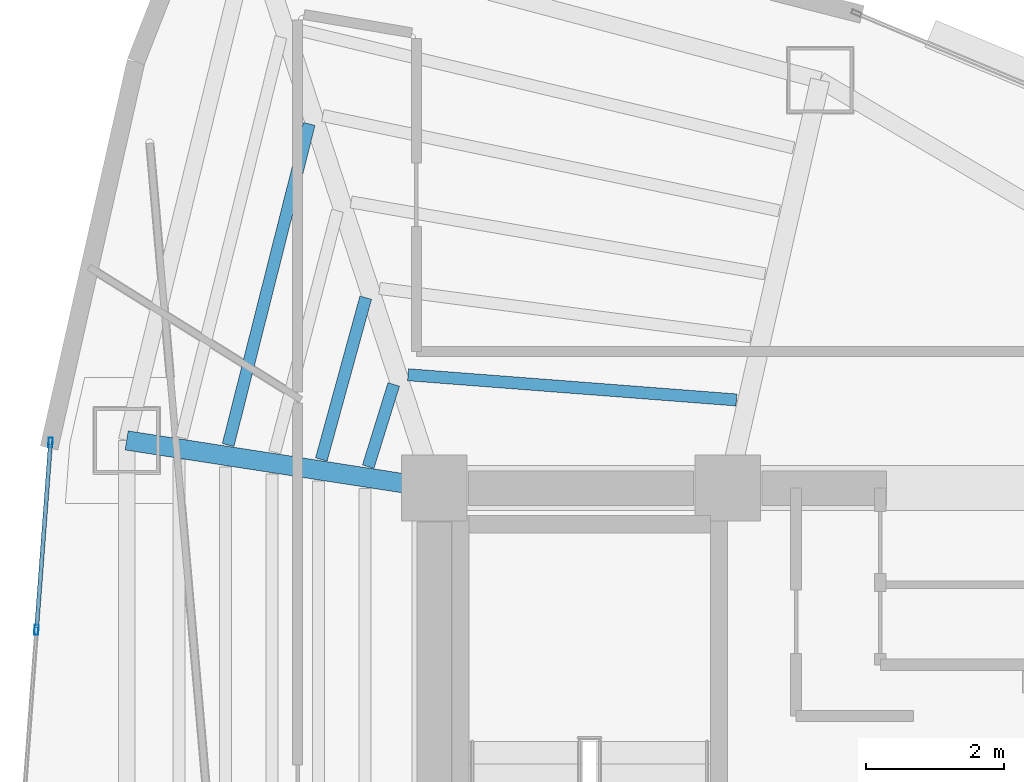
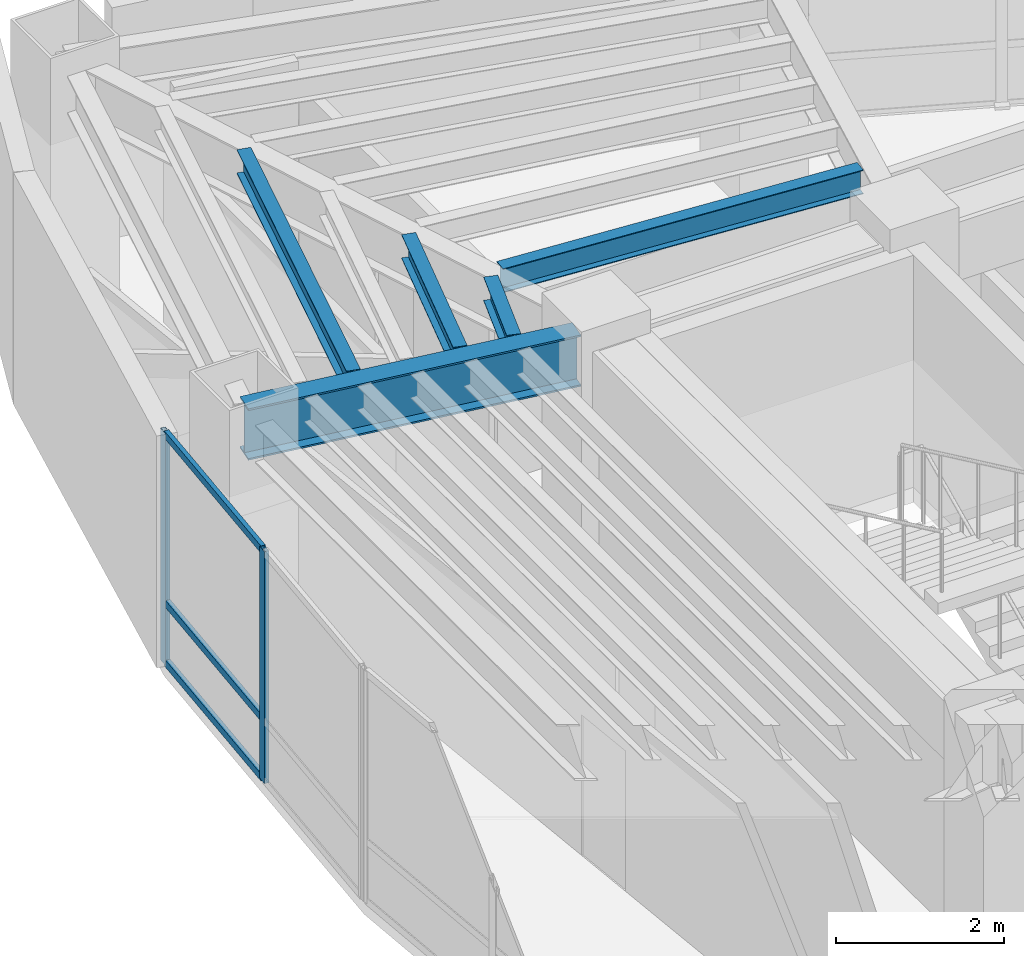
# One storey, part 7 of 16: 5 beams, 5 members, 1 element without a shape of its own.
"""IFC4 building model written with IfcOpenShell, lengths in metres."""

from ifc_helpers import new_model, si_unit, direction, frame, origin, origin_2d, place, context, subcontext, project, spatial, hollow_rectangle, i_section, extrude, material, layer, layer_set, material_profile, profile_set, type_object, element, aggregate, save


model = new_model("IFC4")

# Units and contexts
model_context = context("Model", 3, precision=1e-05, world=origin(), true_north=direction((0.0, 1.0)))
body_context = subcontext(model_context, "Body", "Model", "MODEL_VIEW")
ifc_project = project(units=[si_unit("LENGTHUNIT", "METRE"), si_unit("AREAUNIT", "SQUARE_METRE"), si_unit("VOLUMEUNIT", "CUBIC_METRE"), si_unit("PLANEANGLEUNIT", "RADIAN"), si_unit("MASSUNIT", "GRAM", prefix="KILO")], contexts=[model_context])

# Site, building, storey
site_placement = place(None, origin())
site = spatial("IfcSite", under=ifc_project, at=site_placement, CompositionType="ELEMENT")
building_placement = place(site_placement, origin())
building = spatial("IfcBuilding", under=site, at=building_placement, Name="Menara Vayukalpa", CompositionType="ELEMENT")
storey_placement = place(building_placement, frame((0.0, 0.0, 210.1201171875)))
storey = spatial("IfcBuildingStorey", under=building, at=storey_placement, Name="L53", CompositionType="ELEMENT", Elevation=210.1201171875)

# Beams
ifc_material_1 = material(Name="Steel S355", Category="steel")
ifc_material_profile_1 = material_profile(ifc_material_1, i_section(OverallWidth=0.280029296875, OverallDepth=0.75, WebThickness=0.013916015625, FlangeThickness=0.02490234375, at=origin_2d()), Name="WF 750x280x14x25")
ifc_profile_set_1 = profile_set([ifc_material_profile_1], Name="Steel S355")
beam_type_1 = type_object("IfcBeamType", Name="BM-PG4", PredefinedType="BEAM", material=ifc_profile_set_1)
beam_1_placement = place(storey_placement, frame((17.552978515625, 26.838134765625, 3.0048828125), z_axis=(-0.988244781219, 0.152879862617, 0.0), x_axis=(-0.152879862617, -0.988244781219, 0.0)))
element("IfcBeam", 1, at=beam_1_placement, inside=storey, type_object=beam_type_1, Name="L53 Primary Radial Girder RG05", PredefinedType="BEAM", context=body_context, shape_type="SweptSolid", body=[
    extrude(i_section(OverallWidth=0.280029296875, OverallDepth=0.75, WebThickness=0.013916015625, FlangeThickness=0.02490234375, at=origin_2d()), origin(), (0.0, 0.0, 1.0), 4.259033203125),
])
ifc_material_2 = material(Name="Steel S355", Category="steel")
ifc_material_profile_2 = material_profile(ifc_material_2, i_section(OverallWidth=0.175048828125, OverallDepth=0.35009765625, WebThickness=0.007080078125, FlangeThickness=0.010986328125, at=origin_2d()), Name="WF 350x175x7x11")
ifc_profile_set_2 = profile_set([ifc_material_profile_2], Name="Steel S355")
beam_type_2 = type_object("IfcBeamType", Name="BM-SJ3", PredefinedType="JOIST", material=ifc_profile_set_2)
beam_2_placement = place(storey_placement, frame((22.177001953125, 28.07568359375, 3.204833984375), z_axis=(-0.997061705182, 0.076602585202, 0.0), x_axis=(-0.076602585202, -0.997061705182, 0.0)))
element("IfcBeam", 2, at=beam_2_placement, inside=storey, type_object=beam_type_2, Name="L53 Secondary Floor Joist SJ03-1", PredefinedType="JOIST", context=body_context, shape_type="SweptSolid", body=[
    extrude(i_section(OverallWidth=0.175048828125, OverallDepth=0.35009765625, WebThickness=0.007080078125, FlangeThickness=0.010986328125, at=origin_2d()), origin(), (0.0, 0.0, 1.0), 4.77099609375),
])
beam_3_placement = place(storey_placement, frame((17.212890625, 28.300537109375, 3.204833984375), z_axis=(-0.296448419226, -0.955048865105, 0.0), x_axis=(0.955048865105, -0.296448419226, 0.0)))
element("IfcBeam", 3, at=beam_3_placement, inside=storey, type_object=beam_type_2, Name="L53 Secondary Floor Joist SJ04-1", PredefinedType="JOIST", context=body_context, shape_type="SweptSolid", body=[
    extrude(i_section(OverallWidth=0.175048828125, OverallDepth=0.35009765625, WebThickness=0.007080078125, FlangeThickness=0.010986328125, at=origin_2d()), origin(), (0.0, 0.0, 1.0), 1.24853515625),
])
beam_4_placement = place(storey_placement, frame((16.80712890625, 29.5576171875, 3.204833984375), z_axis=(-0.264502665082, -0.964384954344, 0.0), x_axis=(0.964384954344, -0.264502665082, 0.0)))
element("IfcBeam", 4, at=beam_4_placement, inside=storey, type_object=beam_type_2, Name="L53 Secondary Floor Joist SJ04-2", PredefinedType="JOIST", context=body_context, shape_type="SweptSolid", body=[
    extrude(i_section(OverallWidth=0.175048828125, OverallDepth=0.35009765625, WebThickness=0.007080078125, FlangeThickness=0.010986328125, at=origin_2d()), origin(), (0.0, 0.0, 1.0), 2.430419921875),
])
beam_5_placement = place(storey_placement, frame((15.988525390625, 32.073486328125, 3.204833984375), z_axis=(-0.24483447751, -0.969564891393, 0.0), x_axis=(0.969564891393, -0.24483447751, 0.0)))
element("IfcBeam", 5, at=beam_5_placement, inside=storey, type_object=beam_type_2, Name="L53 Secondary Floor Joist SJ04-4", PredefinedType="JOIST", context=body_context, shape_type="SweptSolid", body=[
    extrude(i_section(OverallWidth=0.175048828125, OverallDepth=0.35009765625, WebThickness=0.007080078125, FlangeThickness=0.010986328125, at=origin_2d()), origin(), (0.0, 0.0, 1.0), 4.79638671875),
])

# Curtain wall, members
ifc_material_3 = material(Name="Anodised Terracotta Aluminium Alloy 6063-T6", Category="masonry")
ifc_layer = layer(ifc_material_3, 0.139892578125)
ifc_layer_set = layer_set([ifc_layer], Name="Anodised Terracotta Aluminium Alloy 6063-T6")
curtain_wall_type = type_object("IfcCurtainWallType", Name="CW-CW5", PredefinedType="USERDEFINED", material=ifc_layer_set)
curtain_wall_placement = place(storey_placement, origin())
curtain_wall = element("IfcCurtainWall", 6, at=curtain_wall_placement, inside=storey, type_object=curtain_wall_type, Name="L53 High Rise Tapered Curtain Wall CW5 10", ObjectType="UNITISED", PredefinedType="USERDEFINED")
ifc_material_4 = material(Name="Anodised Terracotta Aluminium Alloy 6063-T6", Category="masonry")
ifc_material_profile_3 = material_profile(ifc_material_4, hollow_rectangle(XDim=0.06005859375, YDim=0.139892578125, WallThickness=0.00341796875, at=origin_2d()), Name="ALU 60x140x3.5")
ifc_profile_set_3 = profile_set([ifc_material_profile_3], Name="Anodised Terracotta Aluminium Alloy 6063-T6")
member_type_1 = type_object("IfcMemberType", Name="CWM-CW5", PredefinedType="MULLION", material=ifc_profile_set_3)
member_1_placement = place(storey_placement, frame((12.24169921875, 27.459228515625, 0.0), z_axis=(0.0, 0.0, 1.0), x_axis=(0.9971991744, -0.074791754736, 0.0)))
member_1 = element("IfcMember", 7, at=member_1_placement, type_object=member_type_1, Name="CW5 mullion 1", PredefinedType="MULLION", context=body_context, shape_type="SweptSolid", body=[
    extrude(hollow_rectangle(XDim=0.06005859375, YDim=0.139892578125, WallThickness=0.00341796875, at=origin_2d()), origin(), (0.0, 0.0, 1.0), 3.3798828125),
])
member_2_placement = place(storey_placement, frame((12.0380859375, 24.74462890625, 0.0), z_axis=(0.0, 0.0, 1.0), x_axis=(0.9971991744, -0.074791754736, 0.0)))
member_2 = element("IfcMember", 8, at=member_2_placement, type_object=member_type_1, Name="CW5 mullion 2", PredefinedType="MULLION", context=body_context, shape_type="SweptSolid", body=[
    extrude(hollow_rectangle(XDim=0.06005859375, YDim=0.139892578125, WallThickness=0.00341796875, at=origin_2d()), origin(), (0.0, 0.0, 1.0), 3.3798828125),
])
ifc_material_5 = material(Name="Anodised Terracotta Aluminium Alloy 6063-T6", Category="masonry")
ifc_material_profile_4 = material_profile(ifc_material_5, hollow_rectangle(XDim=0.06005859375, YDim=0.10498046875, WallThickness=0.0029296875, at=origin_2d()), Name="ALU 60x105x3")
ifc_profile_set_4 = profile_set([ifc_material_profile_4], Name="Anodised Terracotta Aluminium Alloy 6063-T6")
member_type_2 = type_object("IfcMemberType", Name="CWT-CW5", PredefinedType="USERDEFINED", material=ifc_profile_set_4)
member_3_placement = place(storey_placement, frame((12.239501953125, 27.429443359375, 0.02978515625), z_axis=(-0.074824141952, -0.997196744771, 0.0), x_axis=(0.997196744771, -0.074824141952, 0.0)))
member_3 = element("IfcMember", 9, at=member_3_placement, type_object=member_type_2, Name="CW5 transom 1.1", ObjectType="TRANSOM", PredefinedType="USERDEFINED", context=body_context, shape_type="SweptSolid", body=[
    extrude(hollow_rectangle(XDim=0.06005859375, YDim=0.10498046875, WallThickness=0.0029296875, at=origin_2d()), origin(), (0.0, 0.0, 1.0), 2.66259765625),
])
member_4_placement = place(storey_placement, frame((12.239501953125, 27.429443359375, 0.89990234375), z_axis=(-0.074824141952, -0.997196744771, 0.0), x_axis=(0.997196744771, -0.074824141952, 0.0)))
member_4 = element("IfcMember", 10, at=member_4_placement, type_object=member_type_2, Name="CW5 transom 1.2", ObjectType="TRANSOM", PredefinedType="USERDEFINED", context=body_context, shape_type="SweptSolid", body=[
    extrude(hollow_rectangle(XDim=0.06005859375, YDim=0.10498046875, WallThickness=0.0029296875, at=origin_2d()), origin(), (0.0, 0.0, 1.0), 2.66259765625),
])
member_5_placement = place(storey_placement, frame((12.239501953125, 27.429443359375, 3.349853515625), z_axis=(-0.074824141952, -0.997196744771, 0.0), x_axis=(0.997196744771, -0.074824141952, 0.0)))
member_5 = element("IfcMember", 11, at=member_5_placement, type_object=member_type_2, Name="CW5 transom 1.3", ObjectType="TRANSOM", PredefinedType="USERDEFINED", context=body_context, shape_type="SweptSolid", body=[
    extrude(hollow_rectangle(XDim=0.06005859375, YDim=0.10498046875, WallThickness=0.0029296875, at=origin_2d()), origin(), (0.0, 0.0, 1.0), 2.66259765625),
])
aggregate(curtain_wall, [member_1, member_2, member_3, member_4, member_5])

save(model, "model.ifc")
